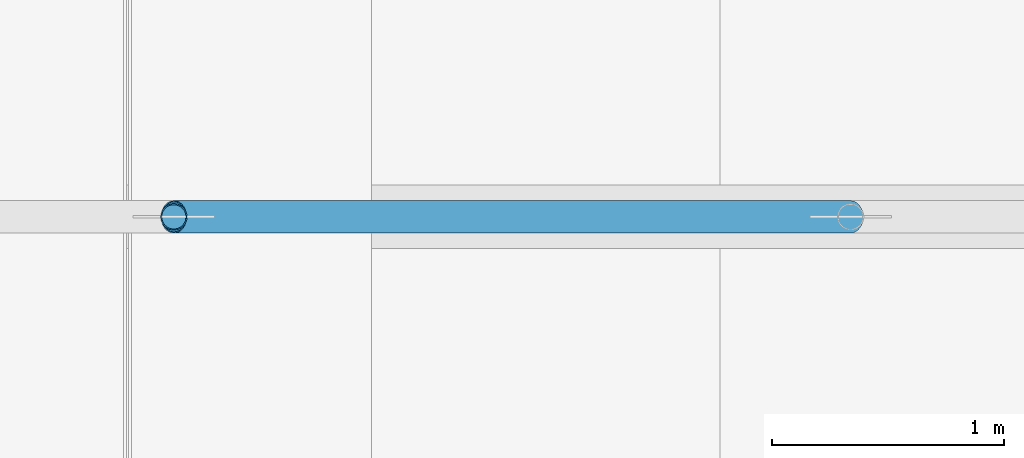
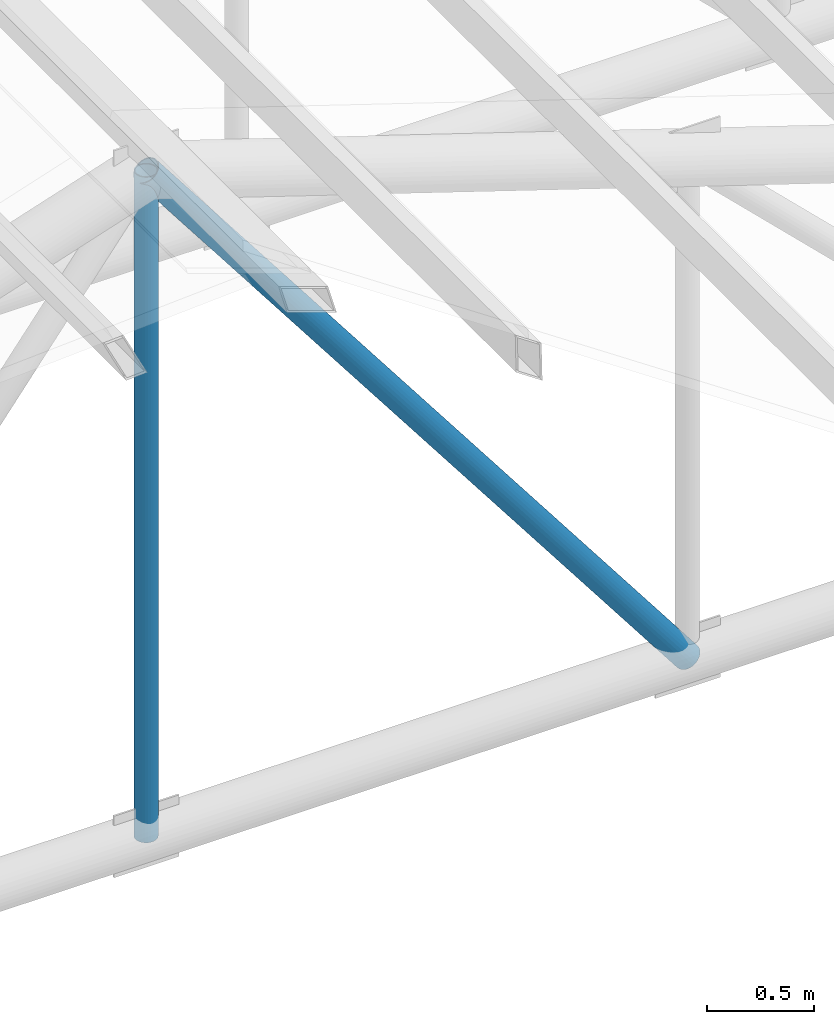
# One storey, part 22 of 95: 2 members.
"""IFC4 building model written with IfcOpenShell, lengths in metres."""

from ifc_helpers import new_model, si_unit, direction, frame, origin, origin_2d, place, context, subcontext, project, spatial, hollow_circle, extrude, material, material_profile, profile_set, type_object, element, save


model = new_model("IFC4")

# Units and contexts
model_context = context("Model", 3, precision=1e-05, world=origin(), true_north=direction((0.0, 1.0)))
body_context = subcontext(model_context, "Body", "Model", "MODEL_VIEW")
ifc_project = project(units=[si_unit("LENGTHUNIT", "METRE"), si_unit("AREAUNIT", "SQUARE_METRE"), si_unit("VOLUMEUNIT", "CUBIC_METRE"), si_unit("PLANEANGLEUNIT", "RADIAN"), si_unit("MASSUNIT", "GRAM", prefix="KILO")], contexts=[model_context])

# Site, building, storey
site_placement = place(None, origin())
site = spatial("IfcSite", under=ifc_project, at=site_placement, CompositionType="ELEMENT")
building_placement = place(site_placement, origin())
building = spatial("IfcBuilding", under=site, at=building_placement, Name="Kiln Court Media Centre", CompositionType="ELEMENT")
storey_placement = place(building_placement, frame((0.0, 0.0, 24.60009765625)))
storey = spatial("IfcBuildingStorey", under=building, at=storey_placement, Name="L05", CompositionType="ELEMENT", Elevation=24.60009765625)

# Members
ifc_material_1 = material(Name="Steel ASTM A500 Gr C", Category="steel")
ifc_material_profile_1 = material_profile(ifc_material_1, hollow_circle(Radius=0.05712890625, WallThickness=0.0048828125, at=origin_2d()), Name="CHS 114.3x5.0")
ifc_profile_set_1 = profile_set([ifc_material_profile_1], Name="Steel ASTM A500 Gr C")
member_type_1 = type_object("IfcMemberType", Name="Steel ASTM A500 Gr C CHS 114.3x5.0 truss web", PredefinedType="BRACE", material=ifc_profile_set_1)
member_1_placement = place(storey_placement, frame((46.39990234375, 42.0, -0.013916015625), z_axis=(0.0, 0.0, 1.0), x_axis=(1.0, 0.0, 0.0)))
element("IfcMember", 1, at=member_1_placement, inside=storey, type_object=member_type_1, Name="foyer truss FT-05 post 4 truss web", PredefinedType="BRACE", context=body_context, shape_type="SweptSolid", body=[
    extrude(hollow_circle(Radius=0.05712890625, WallThickness=0.0048828125, at=origin_2d()), origin(), (0.0, 0.0, 1.0), 3.785400390625),
])
ifc_material_2 = material(Name="Steel ASTM A500 Gr C", Category="steel")
ifc_material_profile_2 = material_profile(ifc_material_2, hollow_circle(Radius=0.06982421875, WallThickness=0.0048828125, at=origin_2d()), Name="CHS 139.7x5.0")
ifc_profile_set_2 = profile_set([ifc_material_profile_2], Name="Steel ASTM A500 Gr C")
member_type_2 = type_object("IfcMemberType", Name="Steel ASTM A500 Gr C CHS 139.7x5.0 truss web", PredefinedType="BRACE", material=ifc_profile_set_2)
member_2_placement = place(storey_placement, frame((46.39990234375, 42.0, 3.771484375), z_axis=(0.609809567012, 0.0, -0.792547974561), x_axis=(0.0, 1.0, 0.0)))
element("IfcMember", 2, at=member_2_placement, inside=storey, type_object=member_type_2, Name="foyer truss FT-05 diagonal 5 truss web", PredefinedType="BRACE", context=body_context, shape_type="SweptSolid", body=[
    extrude(hollow_circle(Radius=0.06982421875, WallThickness=0.0048828125, at=origin_2d()), origin(), (0.0, 0.0, 1.0), 4.776123046875),
])

save(model, "model.ifc")
